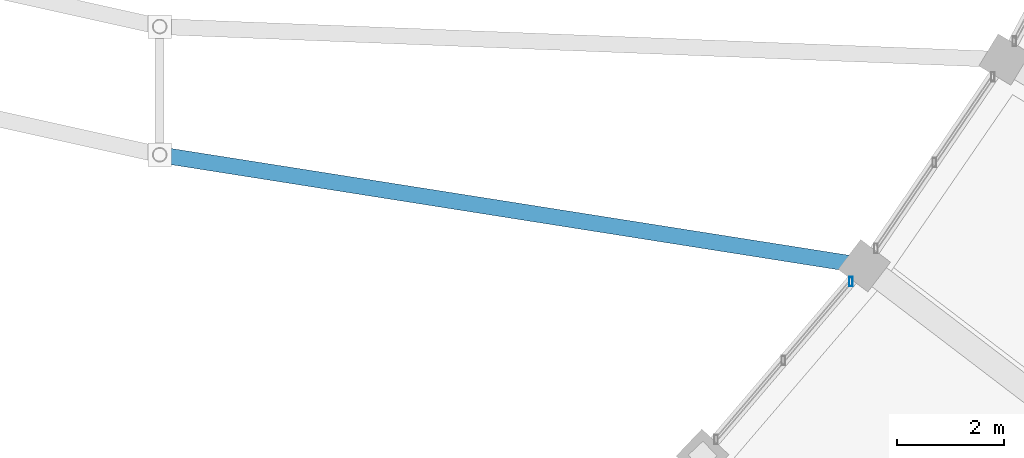
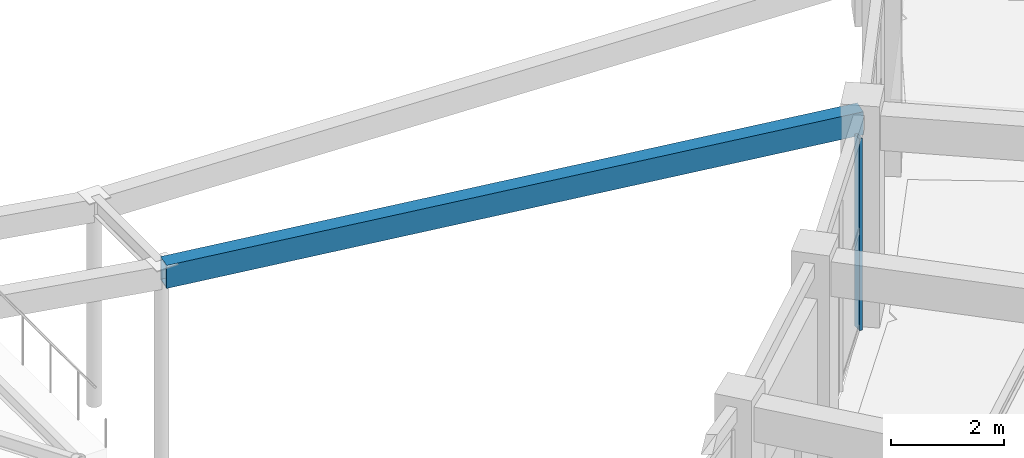
# One storey, part 61 of 108: 1 beam, 1 member, 1 element without a shape of its own.
"""IFC4 building model written with IfcOpenShell, lengths in metres."""

from ifc_helpers import new_model, si_unit, direction, frame, origin, origin_2d, place, context, subcontext, project, spatial, hollow_rectangle, extrude, material, material_profile, profile_set, type_object, element, aggregate, save


model = new_model("IFC4")

# Units and contexts
model_context = context("Model", 3, precision=1e-05, world=origin(), true_north=direction((0.0, 1.0)))
body_context = subcontext(model_context, "Body", "Model", "MODEL_VIEW")
ifc_project = project(units=[si_unit("LENGTHUNIT", "METRE"), si_unit("AREAUNIT", "SQUARE_METRE"), si_unit("VOLUMEUNIT", "CUBIC_METRE"), si_unit("PLANEANGLEUNIT", "RADIAN"), si_unit("MASSUNIT", "GRAM", prefix="KILO")], contexts=[model_context])

# Site, building, storey
site_placement = place(None, origin())
site = spatial("IfcSite", under=ifc_project, at=site_placement, CompositionType="ELEMENT")
building_placement = place(site_placement, origin())
building = spatial("IfcBuilding", under=site, at=building_placement, Name="Tarnveldt Headland Concert Hall", CompositionType="ELEMENT")
storey_placement = place(building_placement, origin())
storey = spatial("IfcBuildingStorey", under=building, at=storey_placement, Name="L00", CompositionType="ELEMENT", Elevation=0.0)

# Curtain wall, member
ifc_material_1 = material(Name="Marine-anodised aluminium EN AW-6063-T6", Category="aluminium")
curtain_wall_type = type_object("IfcCurtainWallType", Name="CW-C1", PredefinedType="NOTDEFINED", material=ifc_material_1)
curtain_wall_placement = place(storey_placement, origin())
curtain_wall = element("IfcCurtainWall", 1, at=curtain_wall_placement, inside=storey, type_object=curtain_wall_type, Name="Curtain wall CW-L00-096", PredefinedType="NOTDEFINED")
ifc_material_profile_1 = material_profile(ifc_material_1, hollow_rectangle(XDim=0.06494140625, YDim=0.179931640625, WallThickness=0.00390625, at=origin_2d()), Name="ALU MULLION 65x180x4", Category="aluminium")
ifc_profile_set_1 = profile_set([ifc_material_profile_1], Name="Marine-anodised aluminium EN AW-6063-T6")
member_type = type_object("IfcMemberType", Name="ML-180", PredefinedType="MULLION", material=ifc_profile_set_1)
member_placement = place(storey_placement, frame((151.437255859375, 33.625732421875, 0.0), z_axis=(0.0, 0.0, 1.0), x_axis=(1.0, 0.0, 0.0)))
member = element("IfcMember", 2, at=member_placement, type_object=member_type, Name="Mullion CW-L00-096-3", PredefinedType="MULLION", context=body_context, shape_type="SweptSolid", body=[
    extrude(hollow_rectangle(XDim=0.06494140625, YDim=0.179931640625, WallThickness=0.00390625, at=origin_2d()), origin(), (0.0, 0.0, 1.0), 4.159912109375),
])
aggregate(curtain_wall, [member])

# Beam
ifc_material_2 = material(Name="Steel S355", Category="steel")
ifc_material_profile_2 = material_profile(ifc_material_2, hollow_rectangle(XDim=0.300048828125, YDim=0.5, WallThickness=0.02001953125, at=origin_2d()), Name="RHS 500x300x20", Category="steel")
ifc_profile_set_2 = profile_set([ifc_material_profile_2], Name="Steel S355")
beam_type = type_object("IfcBeamType", Name="SB-RHS500", PredefinedType="BEAM", material=ifc_profile_set_2)
beam_placement = place(storey_placement, frame((138.53955078125, 35.993896484375, 4.280029296875), z_axis=(0.987820764325, -0.155596071829, 0.0), x_axis=(0.155596071829, 0.987820764325, 0.0)))
element("IfcBeam", 3, at=beam_placement, inside=storey, type_object=beam_type, Name="Framing beam L00-1424", PredefinedType="BEAM", context=body_context, shape_type="SweptSolid", body=[
    extrude(hollow_rectangle(XDim=0.300048828125, YDim=0.5, WallThickness=0.02001953125, at=origin_2d()), origin(), (0.0, 0.0, 1.0), 13.272705078125),
])

save(model, "model.ifc")
